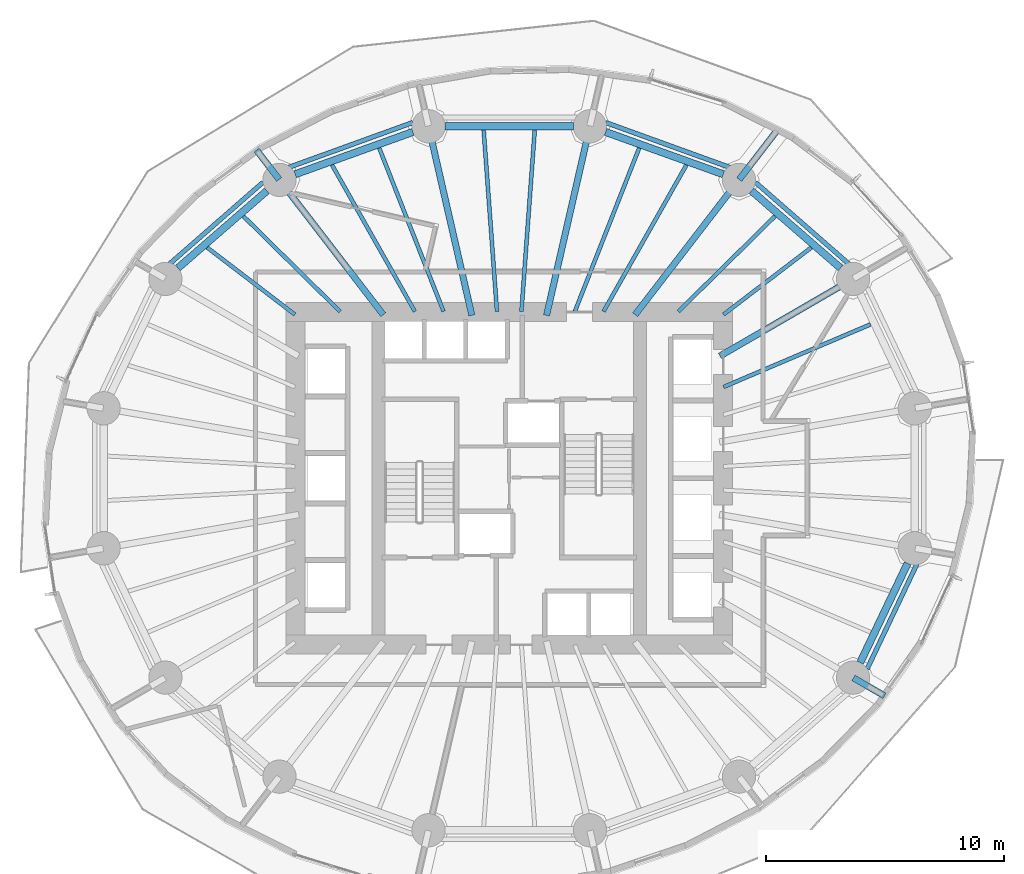
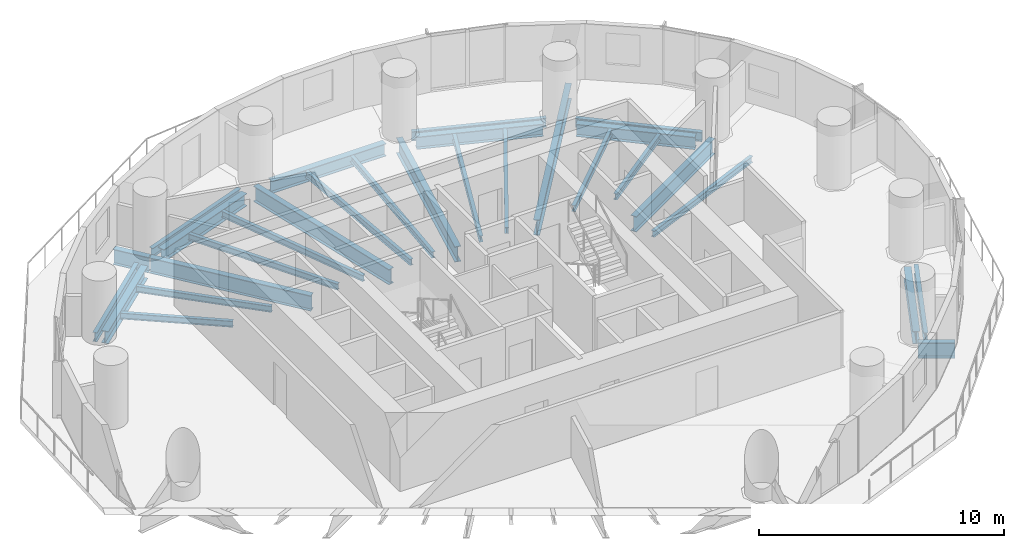
# One storey, part 4 of 13: 30 beams.
"""IFC4 building model written with IfcOpenShell, lengths in metres."""

from ifc_helpers import new_model, si_unit, direction, frame, origin, origin_2d, place, context, subcontext, project, spatial, i_section, extrude, material, material_profile, profile_set, type_object, element, save


model = new_model("IFC4")

# Units and contexts
model_context = context("Model", 3, precision=1e-05, world=origin(), true_north=direction((0.0, 1.0)))
body_context = subcontext(model_context, "Body", "Model", "MODEL_VIEW")
ifc_project = project(units=[si_unit("LENGTHUNIT", "METRE"), si_unit("AREAUNIT", "SQUARE_METRE"), si_unit("VOLUMEUNIT", "CUBIC_METRE"), si_unit("PLANEANGLEUNIT", "RADIAN"), si_unit("MASSUNIT", "GRAM", prefix="KILO")], contexts=[model_context])

# Site, building, storey
site_placement = place(None, origin())
site = spatial("IfcSite", under=ifc_project, at=site_placement, CompositionType="ELEMENT")
building_placement = place(site_placement, origin())
building = spatial("IfcBuilding", under=site, at=building_placement, Name="Veldorim Arch Residences", CompositionType="ELEMENT")
storey_placement = place(building_placement, frame((0.0, 0.0, 63.199951171875)))
storey = spatial("IfcBuildingStorey", under=building, at=storey_placement, Name="L18", CompositionType="ELEMENT", Elevation=63.199951171875)

# Beams
ifc_material_1 = material(Name="Steel S355", Category="steel")
ifc_material_profile_1 = material_profile(ifc_material_1, i_section(OverallWidth=0.30712890625, OverallDepth=0.6201171875, WebThickness=0.01416015625, FlangeThickness=0.023681640625, at=origin_2d()), Name="UB610x305x179")
ifc_profile_set_1 = profile_set([ifc_material_profile_1], Name="Steel S355")
beam_type_1 = type_object("IfcBeamType", Name="Structural Steel Beam UB610x305x179", PredefinedType="BEAM", material=ifc_profile_set_1)
beam_1_placement = place(storey_placement, frame((45.93896484375, 32.847900390625, -0.550048828125), z_axis=(-0.755264734985, 0.655419850239, 0.0), x_axis=(-0.655419850239, -0.755264734985, 0.0)))
element("IfcBeam", 1, at=beam_1_placement, inside=storey, type_object=beam_type_1, Name="L18 perimeter ring tie beam 02", PredefinedType="BEAM", context=body_context, shape_type="SweptSolid", body=[
    extrude(i_section(OverallWidth=0.30712890625, OverallDepth=0.6201171875, WebThickness=0.01416015625, FlangeThickness=0.023681640625, at=origin_2d()), origin(), (0.0, 0.0, 1.0), 4.956298828125),
])
beam_2_placement = place(storey_placement, frame((41.00830078125, 36.7919921875, -0.550048828125), z_axis=(-0.941058113369, 0.338244922006, 0.0), x_axis=(-0.338244922006, -0.941058113369, 0.0)))
element("IfcBeam", 2, at=beam_2_placement, inside=storey, type_object=beam_type_1, Name="L18 perimeter ring tie beam 03", PredefinedType="BEAM", context=body_context, shape_type="SweptSolid", body=[
    extrude(i_section(OverallWidth=0.30712890625, OverallDepth=0.6201171875, WebThickness=0.01416015625, FlangeThickness=0.023681640625, at=origin_2d()), origin(), (0.0, 0.0, 1.0), 5.265380859375),
])
beam_3_placement = place(storey_placement, frame((34.694580078125, 38.809814453125, -0.550048828125), z_axis=(-1.0, 0.0, 0.0), x_axis=(0.0, -1.0, 0.0)))
element("IfcBeam", 3, at=beam_3_placement, inside=storey, type_object=beam_type_1, Name="L18 perimeter ring tie beam 04", PredefinedType="BEAM", context=body_context, shape_type="SweptSolid", body=[
    extrude(i_section(OverallWidth=0.30712890625, OverallDepth=0.6201171875, WebThickness=0.01416015625, FlangeThickness=0.023681640625, at=origin_2d()), origin(), (0.0, 0.0, 1.0), 5.38916015625),
])
beam_4_placement = place(storey_placement, frame((27.94677734375, 38.572998046875, -0.550048828125), z_axis=(-0.941058113369, -0.338244922006, 0.0), x_axis=(0.338244922006, -0.941058113369, 0.0)))
element("IfcBeam", 4, at=beam_4_placement, inside=storey, type_object=beam_type_1, Name="L18 perimeter ring tie beam 05", PredefinedType="BEAM", context=body_context, shape_type="SweptSolid", body=[
    extrude(i_section(OverallWidth=0.30712890625, OverallDepth=0.6201171875, WebThickness=0.01416015625, FlangeThickness=0.023681640625, at=origin_2d()), origin(), (0.0, 0.0, 1.0), 5.265380859375),
])
beam_5_placement = place(storey_placement, frame((21.804443359375, 36.096435546875, -0.550048828125), z_axis=(-0.755264734985, -0.655419850239, 0.0), x_axis=(0.655419850239, -0.755264734985, 0.0)))
element("IfcBeam", 5, at=beam_5_placement, inside=storey, type_object=beam_type_1, Name="L18 perimeter ring tie beam 06", PredefinedType="BEAM", context=body_context, shape_type="SweptSolid", body=[
    extrude(i_section(OverallWidth=0.30712890625, OverallDepth=0.6201171875, WebThickness=0.01416015625, FlangeThickness=0.023681640625, at=origin_2d()), origin(), (0.0, 0.0, 1.0), 4.956298828125),
])
beam_6_placement = place(storey_placement, frame((46.76904296875, 16.24267578125, -0.550048828125), z_axis=(0.430776422552, 0.902458682585, 0.0), x_axis=(-0.902458682585, 0.430776422552, 0.0)))
element("IfcBeam", 6, at=beam_6_placement, inside=storey, type_object=beam_type_1, Name="L18 perimeter ring tie beam 15", PredefinedType="BEAM", context=body_context, shape_type="SweptSolid", body=[
    extrude(i_section(OverallWidth=0.30712890625, OverallDepth=0.6201171875, WebThickness=0.01416015625, FlangeThickness=0.023681640625, at=origin_2d()), origin(), (0.0, 0.0, 1.0), 4.63134765625),
])
ifc_material_2 = material(Name="Steel S355", Category="steel")
ifc_material_profile_2 = material_profile(ifc_material_2, i_section(OverallWidth=0.26806640625, OverallDepth=0.769775390625, WebThickness=0.015625, FlangeThickness=0.025390625, at=origin_2d()), Name="UB762x267x197")
ifc_profile_set_2 = profile_set([ifc_material_profile_2], Name="Steel S355")
beam_type_2 = type_object("IfcBeamType", Name="Structural Steel GIRDER UB762x267x197", PredefinedType="USERDEFINED", material=ifc_profile_set_2)
beam_7_placement = place(storey_placement, frame((40.8701171875, 29.1435546875, -0.624755859375), z_axis=(0.865088348752, 0.501619525989, 0.0), x_axis=(-0.501619525989, 0.865088348752, 0.0)))
element("IfcBeam", 7, at=beam_7_placement, inside=storey, type_object=beam_type_2, Name="L18 radial floor girder 02", ObjectType="GIRDER", PredefinedType="USERDEFINED", context=body_context, shape_type="SweptSolid", body=[
    extrude(i_section(OverallWidth=0.26806640625, OverallDepth=0.769775390625, WebThickness=0.015625, FlangeThickness=0.025390625, at=origin_2d()), origin(), (0.0, 0.0, 1.0), 6.4501953125),
])
beam_8_placement = place(storey_placement, frame((37.298095703125, 30.881103515625, -0.624755859375), z_axis=(0.610082439157, 0.792337943956, 0.0), x_axis=(-0.792337943956, 0.610082439157, 0.0)))
element("IfcBeam", 8, at=beam_8_placement, inside=storey, type_object=beam_type_2, Name="L18 radial floor girder 03", ObjectType="GIRDER", PredefinedType="USERDEFINED", context=body_context, shape_type="SweptSolid", body=[
    extrude(i_section(OverallWidth=0.26806640625, OverallDepth=0.769775390625, WebThickness=0.015625, FlangeThickness=0.025390625, at=origin_2d()), origin(), (0.0, 0.0, 1.0), 7.14111328125),
])
beam_9_placement = place(storey_placement, frame((41.67919921875, 36.571044921875, -0.624755859375), z_axis=(0.610056198277, 0.792358148153, 0.0), x_axis=(-0.792358148153, 0.610056198277, 0.0)))
element("IfcBeam", 9, at=beam_9_placement, inside=storey, type_object=beam_type_2, Name="L18 radial edge cantilever girder 03", ObjectType="GIRDER", PredefinedType="USERDEFINED", context=body_context, shape_type="SweptSolid", body=[
    extrude(i_section(OverallWidth=0.26806640625, OverallDepth=0.769775390625, WebThickness=0.015625, FlangeThickness=0.025390625, at=origin_2d()), origin(), (0.0, 0.0, 1.0), 2.66357421875),
])
for number, where, z_axis, x_axis, name in (
    (10, (33.571044921875, 30.853759765625, -0.624755859375), (0.223411766201, 0.974724157248, 0.0), (-0.974724157248, 0.223411766201, 0.0), "L18 radial floor girder 04"),
    (11, (30.428955078125, 30.853759765625, -0.624755859375), (-0.223411766201, 0.974724157248, 0.0), (-0.974724157248, -0.223411766201, 0.0), "L18 radial floor girder 05"),
):
    element("IfcBeam", number, at=place(storey_placement, frame(where, z_axis=z_axis, x_axis=x_axis)), inside=storey, type_object=beam_type_2, Name=name, ObjectType="GIRDER", PredefinedType="USERDEFINED", context=body_context, shape_type="SweptSolid", body=[
        extrude(i_section(OverallWidth=0.26806640625, OverallDepth=0.769775390625, WebThickness=0.015625, FlangeThickness=0.025390625, at=origin_2d()), origin(), (0.0, 0.0, 1.0), 8.142333984375),
    ])
beam_10_placement = place(storey_placement, frame((26.701904296875, 30.881103515625, -0.624755859375), z_axis=(-0.610082439157, 0.792337943956, 0.0), x_axis=(-0.792337943956, -0.610082439157, 0.0)))
element("IfcBeam", 12, at=beam_10_placement, inside=storey, type_object=beam_type_2, Name="L18 radial floor girder 06", ObjectType="GIRDER", PredefinedType="USERDEFINED", context=body_context, shape_type="SweptSolid", body=[
    extrude(i_section(OverallWidth=0.26806640625, OverallDepth=0.769775390625, WebThickness=0.015625, FlangeThickness=0.025390625, at=origin_2d()), origin(), (0.0, 0.0, 1.0), 7.14111328125),
])
beam_11_placement = place(storey_placement, frame((22.32080078125, 36.571044921875, -0.624755859375), z_axis=(-0.609960092798, 0.792432132863, 0.0), x_axis=(-0.792432132863, -0.609960092798, 0.0)))
element("IfcBeam", 13, at=beam_11_placement, inside=storey, type_object=beam_type_2, Name="L18 radial edge cantilever girder 06", ObjectType="GIRDER", PredefinedType="USERDEFINED", context=body_context, shape_type="SweptSolid", body=[
    extrude(i_section(OverallWidth=0.26806640625, OverallDepth=0.769775390625, WebThickness=0.015625, FlangeThickness=0.025390625, at=origin_2d()), origin(), (0.0, 0.0, 1.0), 1.5615234375),
])
beam_12_placement = place(storey_placement, frame((46.48486328125, 15.600830078125, -0.624755859375), z_axis=(0.865060666907, -0.501667262805, 0.0), x_axis=(0.501667262805, 0.865060666907, 0.0)))
element("IfcBeam", 14, at=beam_12_placement, inside=storey, type_object=beam_type_2, Name="L18 radial edge cantilever girder 15", ObjectType="GIRDER", PredefinedType="USERDEFINED", context=body_context, shape_type="SweptSolid", body=[
    extrude(i_section(OverallWidth=0.26806640625, OverallDepth=0.769775390625, WebThickness=0.015625, FlangeThickness=0.025390625, at=origin_2d()), origin(), (0.0, 0.0, 1.0), 1.509521484375),
])
ifc_material_3 = material(Name="Steel S355", Category="steel")
ifc_material_profile_3 = material_profile(ifc_material_3, i_section(OverallWidth=0.165771484375, OverallDepth=0.306640625, WebThickness=0.006591796875, FlangeThickness=0.01171875, at=origin_2d()), Name="UB305x165x46")
ifc_profile_set_3 = profile_set([ifc_material_profile_3], Name="Steel S355")
beam_type_3 = type_object("IfcBeamType", Name="Structural Steel Joist UB305x165x46", PredefinedType="JOIST", material=ifc_profile_set_3)
beam_13_placement = place(storey_placement, frame((41.018310546875, 27.84130859375, -0.393310546875), z_axis=(0.920032948668, 0.391841005213, 0.0), x_axis=(-0.391841005213, 0.920032948668, 0.0)))
element("IfcBeam", 15, at=beam_13_placement, inside=storey, type_object=beam_type_3, Name="L18 secondary radial floor joist 01-2", PredefinedType="JOIST", context=body_context, shape_type="SweptSolid", body=[
    extrude(i_section(OverallWidth=0.165771484375, OverallDepth=0.306640625, WebThickness=0.006591796875, FlangeThickness=0.01171875, at=origin_2d()), origin(), (0.0, 0.0, 1.0), 6.723388671875),
])
beam_14_placement = place(storey_placement, frame((41.015869140625, 30.8876953125, -0.393310546875), z_axis=(0.794666431166, 0.607046343517, 0.0), x_axis=(-0.607046343517, 0.794666431166, 0.0)))
element("IfcBeam", 16, at=beam_14_placement, inside=storey, type_object=beam_type_3, Name="L18 secondary radial floor joist 02-1", PredefinedType="JOIST", context=body_context, shape_type="SweptSolid", body=[
    extrude(i_section(OverallWidth=0.165771484375, OverallDepth=0.306640625, WebThickness=0.006591796875, FlangeThickness=0.01171875, at=origin_2d()), origin(), (0.0, 0.0, 1.0), 4.646728515625),
])
beam_15_placement = place(storey_placement, frame((39.114990234375, 31.013916015625, -0.393310546875), z_axis=(0.712129078446, 0.702048556463, 0.0), x_axis=(-0.702048556463, 0.712129078446, 0.0)))
element("IfcBeam", 17, at=beam_15_placement, inside=storey, type_object=beam_type_3, Name="L18 secondary radial floor joist 02-2", PredefinedType="JOIST", context=body_context, shape_type="SweptSolid", body=[
    extrude(i_section(OverallWidth=0.165771484375, OverallDepth=0.306640625, WebThickness=0.006591796875, FlangeThickness=0.01171875, at=origin_2d()), origin(), (0.0, 0.0, 1.0), 5.715576171875),
])
beam_16_placement = place(storey_placement, frame((35.96875, 31.017333984375, -0.393310546875), z_axis=(0.492292335352, 0.870429926274, 0.0), x_axis=(-0.870429926274, 0.492292335352, 0.0)))
element("IfcBeam", 18, at=beam_16_placement, inside=storey, type_object=beam_type_3, Name="L18 secondary radial floor joist 03-1", PredefinedType="JOIST", context=body_context, shape_type="SweptSolid", body=[
    extrude(i_section(OverallWidth=0.165771484375, OverallDepth=0.306640625, WebThickness=0.006591796875, FlangeThickness=0.01171875, at=origin_2d()), origin(), (0.0, 0.0, 1.0), 7.083251953125),
])
beam_17_placement = place(storey_placement, frame((34.762451171875, 31.0185546875, -0.393310546875), z_axis=(0.366229833858, 0.930524426758, 0.0), x_axis=(-0.930524426758, 0.366229833858, 0.0)))
element("IfcBeam", 19, at=beam_17_placement, inside=storey, type_object=beam_type_3, Name="L18 secondary radial floor joist 03-2", PredefinedType="JOIST", context=body_context, shape_type="SweptSolid", body=[
    extrude(i_section(OverallWidth=0.165771484375, OverallDepth=0.306640625, WebThickness=0.006591796875, FlangeThickness=0.01171875, at=origin_2d()), origin(), (0.0, 0.0, 1.0), 7.3896484375),
])
for number, where, z_axis, x_axis, name in (
    (20, (32.514892578125, 31.02001953125, -0.393310546875), (0.073167620373, 0.997319657547, 0.0), (-0.997319657547, 0.073167620373, 0.0), "L18 secondary radial floor joist 04-1"),
    (21, (31.485107421875, 31.02001953125, -0.393310546875), (-0.073167620373, 0.997319657547, 0.0), (-0.997319657547, -0.073167620373, 0.0), "L18 secondary radial floor joist 04-2"),
):
    element("IfcBeam", number, at=place(storey_placement, frame(where, z_axis=z_axis, x_axis=x_axis)), inside=storey, type_object=beam_type_3, Name=name, PredefinedType="JOIST", context=body_context, shape_type="SweptSolid", body=[
        extrude(i_section(OverallWidth=0.165771484375, OverallDepth=0.306640625, WebThickness=0.006591796875, FlangeThickness=0.01171875, at=origin_2d()), origin(), (0.0, 0.0, 1.0), 7.651123046875),
    ])
beam_18_placement = place(storey_placement, frame((29.237548828125, 31.0185546875, -0.393310546875), z_axis=(-0.366229833858, 0.930524426758, 0.0), x_axis=(-0.930524426758, -0.366229833858, 0.0)))
element("IfcBeam", 22, at=beam_18_placement, inside=storey, type_object=beam_type_3, Name="L18 secondary radial floor joist 05-1", PredefinedType="JOIST", context=body_context, shape_type="SweptSolid", body=[
    extrude(i_section(OverallWidth=0.165771484375, OverallDepth=0.306640625, WebThickness=0.006591796875, FlangeThickness=0.01171875, at=origin_2d()), origin(), (0.0, 0.0, 1.0), 7.3896484375),
])
beam_19_placement = place(storey_placement, frame((28.03125, 31.017333984375, -0.393310546875), z_axis=(-0.492292335352, 0.870429926274, 0.0), x_axis=(-0.870429926274, -0.492292335352, 0.0)))
element("IfcBeam", 23, at=beam_19_placement, inside=storey, type_object=beam_type_3, Name="L18 secondary radial floor joist 05-2", PredefinedType="JOIST", context=body_context, shape_type="SweptSolid", body=[
    extrude(i_section(OverallWidth=0.165771484375, OverallDepth=0.306640625, WebThickness=0.006591796875, FlangeThickness=0.01171875, at=origin_2d()), origin(), (0.0, 0.0, 1.0), 7.083251953125),
])
beam_20_placement = place(storey_placement, frame((24.885009765625, 31.013916015625, -0.393310546875), z_axis=(-0.712129078446, 0.702048556463, 0.0), x_axis=(-0.702048556463, -0.712129078446, 0.0)))
element("IfcBeam", 24, at=beam_20_placement, inside=storey, type_object=beam_type_3, Name="L18 secondary radial floor joist 06-1", PredefinedType="JOIST", context=body_context, shape_type="SweptSolid", body=[
    extrude(i_section(OverallWidth=0.165771484375, OverallDepth=0.306640625, WebThickness=0.006591796875, FlangeThickness=0.01171875, at=origin_2d()), origin(), (0.0, 0.0, 1.0), 5.715576171875),
])
beam_21_placement = place(storey_placement, frame((22.984130859375, 30.8876953125, -0.393310546875), z_axis=(-0.794666431166, 0.607046343517, 0.0), x_axis=(-0.607046343517, -0.794666431166, 0.0)))
element("IfcBeam", 25, at=beam_21_placement, inside=storey, type_object=beam_type_3, Name="L18 secondary radial floor joist 06-2", PredefinedType="JOIST", context=body_context, shape_type="SweptSolid", body=[
    extrude(i_section(OverallWidth=0.165771484375, OverallDepth=0.306640625, WebThickness=0.006591796875, FlangeThickness=0.01171875, at=origin_2d()), origin(), (0.0, 0.0, 1.0), 4.646728515625),
])
ifc_material_4 = material(Name="Steel S355", Category="steel")
ifc_material_profile_4 = material_profile(ifc_material_4, i_section(OverallWidth=0.19140625, OverallDepth=0.4599609375, WebThickness=0.010009765625, FlangeThickness=0.01611328125, at=origin_2d()), Name="UB457x191x82")
ifc_profile_set_4 = profile_set([ifc_material_profile_4], Name="Steel S355")
beam_type_4 = type_object("IfcBeamType", Name="Structural Steel Spandrel UB457x191x82", PredefinedType="SPANDREL", material=ifc_profile_set_4)
beam_22_placement = place(storey_placement, frame((46.332275390625, 32.98486328125, -0.489990234375), z_axis=(-0.75323350982, 0.657753205758, 0.0), x_axis=(-0.657753205758, -0.75323350982, 0.0)))
element("IfcBeam", 26, at=beam_22_placement, inside=storey, type_object=beam_type_4, Name="L18 perimeter chord spandrel beam 02", PredefinedType="SPANDREL", context=body_context, shape_type="SweptSolid", body=[
    extrude(i_section(OverallWidth=0.19140625, OverallDepth=0.4599609375, WebThickness=0.010009765625, FlangeThickness=0.01611328125, at=origin_2d()), origin(), (0.0, 0.0, 1.0), 5.27001953125),
])
for number, where, z_axis, x_axis, name in (
    (27, (41.319580078125, 37.06591796875, -0.489990234375), (-0.940268980555, 0.340432437064, 0.0), (-0.340432437064, -0.940268980555, 0.0), "L18 perimeter chord spandrel beam 03"),
    (28, (27.94140625, 38.970703125, -0.489990234375), (-0.940268980555, -0.340432437064, 0.0), (0.340432437064, -0.940268980555, 0.0), "L18 perimeter chord spandrel beam 05"),
):
    element("IfcBeam", number, at=place(storey_placement, frame(where, z_axis=z_axis, x_axis=x_axis)), inside=storey, type_object=beam_type_4, Name=name, PredefinedType="SPANDREL", context=body_context, shape_type="SweptSolid", body=[
        extrude(i_section(OverallWidth=0.19140625, OverallDepth=0.4599609375, WebThickness=0.010009765625, FlangeThickness=0.01611328125, at=origin_2d()), origin(), (0.0, 0.0, 1.0), 5.59521484375),
    ])
beam_23_placement = place(storey_placement, frame((21.63720703125, 36.451171875, -0.489990234375), z_axis=(-0.75323350982, -0.657753205758, 0.0), x_axis=(0.657753205758, -0.75323350982, 0.0)))
element("IfcBeam", 29, at=beam_23_placement, inside=storey, type_object=beam_type_4, Name="L18 perimeter chord spandrel beam 06", PredefinedType="SPANDREL", context=body_context, shape_type="SweptSolid", body=[
    extrude(i_section(OverallWidth=0.19140625, OverallDepth=0.4599609375, WebThickness=0.010009765625, FlangeThickness=0.01611328125, at=origin_2d()), origin(), (0.0, 0.0, 1.0), 5.27001953125),
])
beam_24_placement = place(storey_placement, frame((47.060546875, 15.976806640625, -0.489990234375), z_axis=(0.428847831425, 0.903376741721, 0.0), x_axis=(-0.903376741721, 0.428847831425, 0.0)))
element("IfcBeam", 30, at=beam_24_placement, inside=storey, type_object=beam_type_4, Name="L18 perimeter chord spandrel beam 15", PredefinedType="SPANDREL", context=body_context, shape_type="SweptSolid", body=[
    extrude(i_section(OverallWidth=0.19140625, OverallDepth=0.4599609375, WebThickness=0.010009765625, FlangeThickness=0.01611328125, at=origin_2d()), origin(), (0.0, 0.0, 1.0), 4.932861328125),
])

save(model, "model.ifc")
